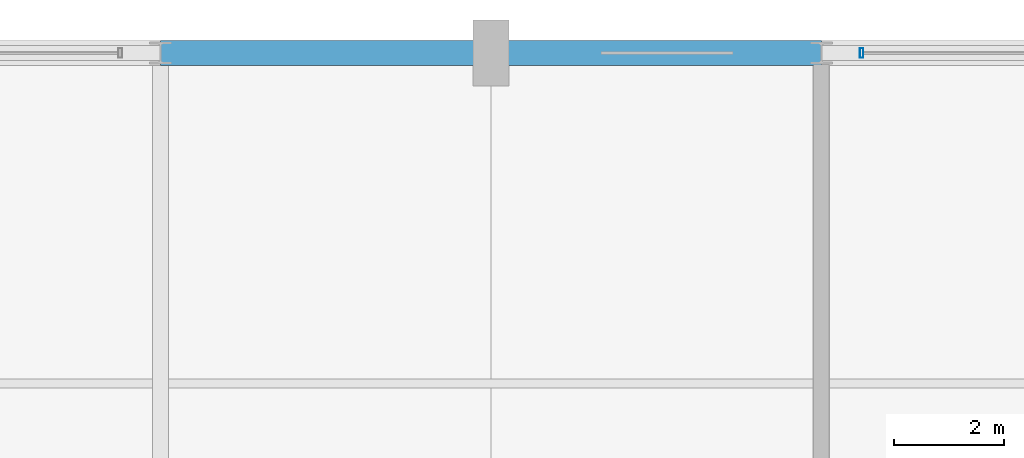
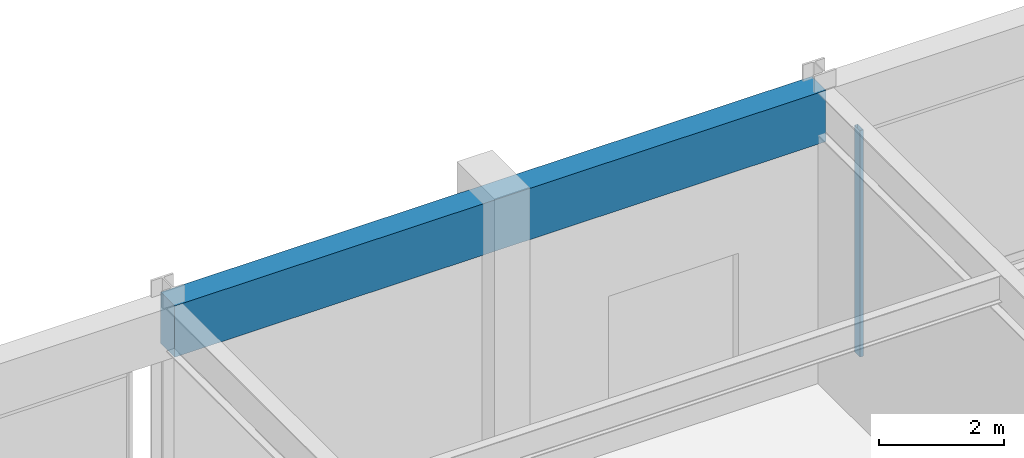
# One storey, part 33 of 105: 1 beam, 1 member, 1 element without a shape of its own.
"""IFC4 building model written with IfcOpenShell, lengths in metres."""

from ifc_helpers import new_model, si_unit, direction, frame, origin, origin_2d, place, context, subcontext, project, spatial, rectangle, hollow_rectangle, extrude, material, material_profile, profile_set, type_object, element, aggregate, save


model = new_model("IFC4")

# Units and contexts
model_context = context("Model", 3, precision=1e-05, world=origin(), true_north=direction((0.0, 1.0)))
body_context = subcontext(model_context, "Body", "Model", "MODEL_VIEW")
ifc_project = project(units=[si_unit("LENGTHUNIT", "METRE"), si_unit("AREAUNIT", "SQUARE_METRE"), si_unit("VOLUMEUNIT", "CUBIC_METRE"), si_unit("PLANEANGLEUNIT", "RADIAN"), si_unit("MASSUNIT", "GRAM", prefix="KILO")], contexts=[model_context])

# Site, building, storey
site_placement = place(None, origin())
site = spatial("IfcSite", under=ifc_project, at=site_placement, CompositionType="ELEMENT")
building_placement = place(site_placement, origin())
building = spatial("IfcBuilding", under=site, at=building_placement, Name="Kaldorvane Square Convention Centre", CompositionType="ELEMENT")
storey_placement = place(building_placement, frame((0.0, 0.0, 6.0)))
storey = spatial("IfcBuildingStorey", under=building, at=storey_placement, Name="L01", CompositionType="ELEMENT", Elevation=6.0)

# Beam
ifc_material_1 = material(Name="Concrete f'c = 42 MPa (Normalweight)", Category="concrete")
ifc_material_profile_1 = material_profile(ifc_material_1, rectangle(XDim=0.4499969482421875, YDim=1.0, at=origin_2d()), Name="RCSP1000X450")
ifc_profile_set_1 = profile_set([ifc_material_profile_1], Name="Concrete f'c = 42 MPa (Normalweight)")
beam_type = type_object("IfcBeamType", Name="BM-SP-RC1000", PredefinedType="SPANDREL", material=ifc_profile_set_1)
beam_placement = place(storey_placement, frame((114.0, 117.0, 5.175994873046875), z_axis=(1.0, 0.0, 0.0), x_axis=(0.0, 1.0, 0.0)))
element("IfcBeam", 1, at=beam_placement, inside=storey, type_object=beam_type, Name="Perimeter Spandrel (L01)", PredefinedType="SPANDREL", context=body_context, shape_type="SweptSolid", body=[
    extrude(rectangle(XDim=0.4499969482421875, YDim=1.0, at=origin_2d()), origin(), (0.0, 0.0, 1.0), 12.0),
])

# Curtain wall, member
ifc_material_2 = material(Name="Anodized Aluminum and Low-E Insulated Glazing", Category="aluminium")
curtain_wall_type = type_object("IfcCurtainWallType", Name="CW-UNI-P60-09", PredefinedType="USERDEFINED", material=ifc_material_2)
curtain_wall_placement = place(storey_placement, origin())
curtain_wall = element("IfcCurtainWall", 2, at=curtain_wall_placement, inside=storey, type_object=curtain_wall_type, Name="Curtain Wall CW-02 (L01)", ObjectType="UNITISED GLAZING", PredefinedType="USERDEFINED")
ifc_material_profile_2 = material_profile(ifc_material_2, hollow_rectangle(XDim=0.06500244140625, YDim=0.17999267578125, WallThickness=0.0034942626953125, at=origin_2d()), Name="CWM-180X65")
ifc_profile_set_2 = profile_set([ifc_material_profile_2], Name="Anodized Aluminum and Low-E Insulated Glazing")
member_type = type_object("IfcMemberType", Name="CW-MUL-180", PredefinedType="MULLION", material=ifc_profile_set_2)
member_placement = place(storey_placement, frame((126.73249816894531, 117.0, 0.149993896484375), z_axis=(0.0, 0.0, 1.0), x_axis=(-1.0, 0.0, 0.0)))
member = element("IfcMember", 3, at=member_placement, type_object=member_type, Name="CW-02 mullion 4", PredefinedType="MULLION", context=body_context, shape_type="SweptSolid", body=[
    extrude(hollow_rectangle(XDim=0.06500244140625, YDim=0.17999267578125, WallThickness=0.0034942626953125, at=origin_2d()), origin(), (0.0, 0.0, 1.0), 4.410003662109375),
])
aggregate(curtain_wall, [member])

save(model, "model.ifc")
